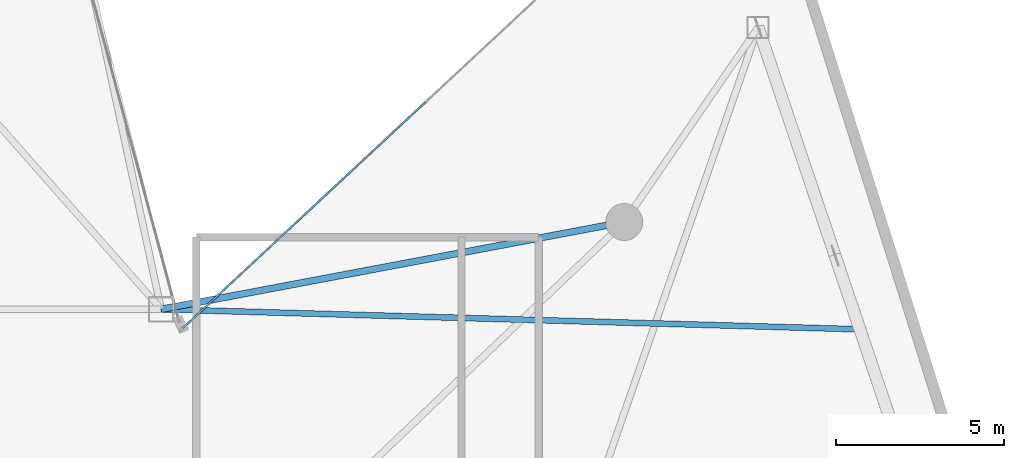
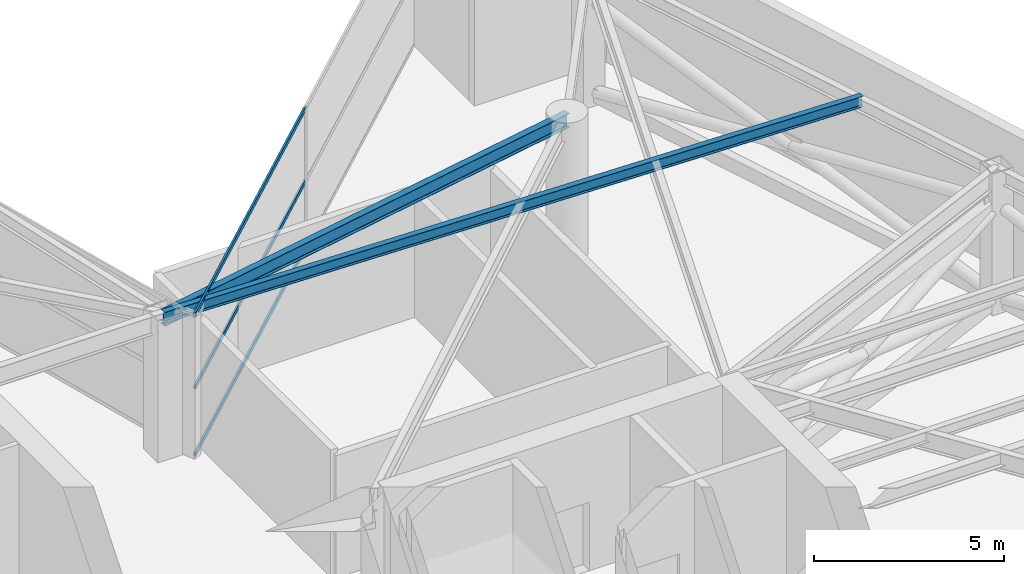
# One storey, part 3 of 16: 3 members, 2 beams, 1 element without a shape of its own.
"""IFC4 building model written with IfcOpenShell, lengths in metres."""

import ifcopenshell
import ifcopenshell.guid

model = None  # the IFC model being written
_history = None  # IfcOwnerHistory: only IFC2X3 demands one
_inside = {}  # id of a spatial element -> (the spatial element, [elements in it])
_under = {}  # id of a project, library or spatial element -> (it, [spatial elements below it])
_declared = {}  # id of a project -> (the project, [libraries it declares])
_typed = {}  # id of a type object -> (the type object, [elements of that type])
_made_of = {}  # id of a material, layer set ... -> (it, [elements and type objects made of it])


def new_model(schema):
    """Start an empty IFC model of exactly this schema.

    Asked for "IFC4X3", IfcOpenShell would pick the latest addendum, in which some entities
    have other attributes; the version numbers below select the first issue.
    IFC2X3 requires an IfcOwnerHistory on every rooted entity: one is made here for all.
    """
    global model, _history
    if schema == "IFC4X3":
        model = ifcopenshell.file(schema_version=(4, 3, 0, 0))
    else:
        model = ifcopenshell.file(schema=schema)
    _inside.clear()
    _under.clear()
    _declared.clear()
    _typed.clear()
    _made_of.clear()
    _history = None
    if model.schema == "IFC2X3":
        org = make("IfcOrganization", Name="unknown")
        user = make(
            "IfcPersonAndOrganization",
            ThePerson=make("IfcPerson", FamilyName="unknown"),
            TheOrganization=org,
        )
        app = make(
            "IfcApplication",
            ApplicationDeveloper=org,
            Version="unknown",
            ApplicationFullName="unknown",
            ApplicationIdentifier="unknown",
        )
        _history = make(
            "IfcOwnerHistory",
            OwningUser=user,
            OwningApplication=app,
            ChangeAction="ADDED",
            CreationDate=0,
        )
    return model


def make(cls, **values):
    """One entity of the class cls with the attributes given. An attribute that is None is left unset."""
    return model.create_entity(
        cls, **{name: value for name, value in values.items() if value is not None}
    )


def rooted(cls, **values):
    """An entity with a GlobalId (a new one), such as an element, a storey or a relation."""
    return make(cls, GlobalId=ifcopenshell.guid.new(), OwnerHistory=_history, **values)


def si_unit(unit_type, name, prefix=None):
    """IfcSIUnit, for example si_unit("LENGTHUNIT", "METRE", prefix="MILLI")."""
    return make("IfcSIUnit", UnitType=unit_type, Prefix=prefix, Name=name)


def assignment(units):
    """IfcUnitAssignment: the units of a project."""
    return None if units is None else make("IfcUnitAssignment", Units=units)


def point(xyz):
    """IfcCartesianPoint."""
    return None if xyz is None else make("IfcCartesianPoint", Coordinates=xyz)


def direction(xyz):
    """IfcDirection."""
    return None if xyz is None else make("IfcDirection", DirectionRatios=xyz)


def frame(location, z_axis=None, x_axis=None):
    """IfcAxis2Placement3D, a coordinate frame: its origin and axes. An axis left out is left unset."""
    return make(
        "IfcAxis2Placement3D",
        Location=point(location),
        Axis=direction(z_axis),
        RefDirection=direction(x_axis),
    )


def frame_2d(location, x_axis=None):
    """IfcAxis2Placement2D, a coordinate frame in the plane: its origin and x axis."""
    return make(
        "IfcAxis2Placement2D", Location=point(location), RefDirection=direction(x_axis)
    )


def origin():
    """The frame at (0, 0, 0) with its axes left unset."""
    return frame((0.0, 0.0, 0.0))


def origin_2d():
    """The frame at (0, 0) in the plane with its x axis left unset."""
    return frame_2d((0.0, 0.0))


def place(relative_to, where):
    """IfcLocalPlacement: puts the frame where relative to a parent placement (None: the world)."""
    return make(
        "IfcLocalPlacement", PlacementRelTo=relative_to, RelativePlacement=where
    )


def context(
    kind, dimensions, precision=None, world=None, true_north=None, identifier=None
):
    """IfcGeometricRepresentationContext, for example the 3D "Model" context."""
    return make(
        "IfcGeometricRepresentationContext",
        ContextIdentifier=identifier,
        ContextType=kind,
        CoordinateSpaceDimension=dimensions,
        Precision=precision,
        WorldCoordinateSystem=world,
        TrueNorth=true_north,
    )


def subcontext(parent, identifier, kind, view, scale=None):
    """IfcGeometricRepresentationSubContext, for example "Body" below "Model"."""
    return make(
        "IfcGeometricRepresentationSubContext",
        ContextIdentifier=identifier,
        ContextType=kind,
        ParentContext=parent,
        TargetScale=scale,
        TargetView=view,
    )


def project(units=None, contexts=None):
    """IfcProject with its units and contexts."""
    return rooted(
        "IfcProject",
        Name="project",
        RepresentationContexts=contexts,
        UnitsInContext=assignment(units),
    )


def spatial(cls, under=None, at=None, **own):
    """A site, building, storey or space (cls), placed at a placement, below another one or the project."""
    s = rooted(cls, ObjectPlacement=at, **own)
    if under is not None:
        _under.setdefault(under.id(), (under, []))[1].append(s)
    return s


def profile(cls, at=None, kind="AREA", **sizes):
    """A parametric profile (cls). Its sizes go by their IFC names, for example OverallWidth=200.0."""
    return make(cls, ProfileType=kind, Position=at, **sizes)


def hollow_rectangle(**sizes):
    """IfcRectangleHollowProfileDef."""
    return profile("IfcRectangleHollowProfileDef", **sizes)


def i_section(**sizes):
    """IfcIShapeProfileDef."""
    return profile("IfcIShapeProfileDef", **sizes)


def extrude(swept, where, along, depth):
    """IfcExtrudedAreaSolid: the profile swept, set in the frame where, extruded along a direction by depth."""
    return make(
        "IfcExtrudedAreaSolid",
        SweptArea=swept,
        Position=where,
        ExtrudedDirection=direction(along),
        Depth=depth,
    )


def shape(context_of_items, identifier, shape_type, items):
    """IfcShapeRepresentation: the items that make up one representation, for example the "Body"."""
    return make(
        "IfcShapeRepresentation",
        ContextOfItems=context_of_items,
        RepresentationIdentifier=identifier,
        RepresentationType=shape_type,
        Items=items,
    )


def material(Name=None, Category=None):
    """IfcMaterial."""
    return make("IfcMaterial", Name=Name, Category=Category)


def layer(
    of_material, thickness, ventilated=None, Name=None, Category=None, Priority=None
):
    """IfcMaterialLayer: one layer of a wall or slab, of a material (None: an air gap)."""
    return make(
        "IfcMaterialLayer",
        Material=of_material,
        LayerThickness=thickness,
        IsVentilated=ventilated,
        Name=Name,
        Category=Category,
        Priority=Priority,
    )


def layer_set(layers, Name=None):
    """IfcMaterialLayerSet."""
    return make("IfcMaterialLayerSet", MaterialLayers=layers, LayerSetName=Name)


def material_profile(
    of_material, cross_section, Name=None, Category=None, Priority=None
):
    """IfcMaterialProfile: a cross section and its material."""
    return make(
        "IfcMaterialProfile",
        Name=Name,
        Material=of_material,
        Profile=cross_section,
        Priority=Priority,
        Category=Category,
    )


def profile_set(profiles, Name=None, composite=None):
    """IfcMaterialProfileSet."""
    return make(
        "IfcMaterialProfileSet",
        Name=Name,
        MaterialProfiles=profiles,
        CompositeProfile=composite,
    )


def made_of(thing, what):
    """Note that an element or type object is made of a material, layer set ...; save() writes the relation."""
    if what is not None:
        _made_of.setdefault(what.id(), (what, []))[1].append(thing)
    return thing


def type_object(cls, material=None, **own):
    """A type object (cls), such as IfcWallType, which elements share."""
    return made_of(rooted(cls, **own), material)


def element(
    cls,
    number,
    at=None,
    inside=None,
    cuts=None,
    type_object=None,
    material=None,
    context=None,
    identifier="Body",
    shape_type=None,
    held_by="IfcProductDefinitionShape",
    body=None,
    shapes=None,
    **own,
):
    """One element of the class cls, such as IfcWall. Its Tag is "e" and its number.

    at: its placement. inside: the storey or other place that contains it. cuts: it is an
    opening in that element (IfcRelVoidsElement). A single representation is given by context,
    identifier, shape_type and body (its items); several are given by shapes. held_by: the class
    of the entity that holds the representations. save() writes the other relations.
    """
    e = rooted(cls, Tag="e%d" % number, ObjectPlacement=at, **own)
    if body is not None:
        shapes = [shape(context, identifier, shape_type, body)]
    if shapes is not None:
        e.Representation = make(held_by, Representations=shapes)
    if inside is not None:
        _inside.setdefault(inside.id(), (inside, []))[1].append(e)
    if cuts is not None:
        rooted(
            "IfcRelVoidsElement", RelatingBuildingElement=cuts, RelatedOpeningElement=e
        )
    if type_object is not None:
        _typed.setdefault(type_object.id(), (type_object, []))[1].append(e)
    return made_of(e, material)


def aggregate(whole, parts):
    """IfcRelAggregates: a whole, such as a stair, and the parts it consists of."""
    return rooted("IfcRelAggregates", RelatingObject=whole, RelatedObjects=parts)


def save(model, path):
    """Write the relations noted so far, then the file.

    IfcRelAggregates (storeys below a building ...), IfcRelContainedInSpatialStructure (elements
    in a storey), IfcRelDefinesByType, IfcRelAssociatesMaterial and IfcRelDeclares: one each for
    every whole, place, type object, material and project.
    """
    for whole, parts in _under.values():
        aggregate(whole, parts)
    for where, things in _inside.values():
        rooted(
            "IfcRelContainedInSpatialStructure",
            RelatedElements=things,
            RelatingStructure=where,
        )
    for kind, things in _typed.values():
        rooted("IfcRelDefinesByType", RelatedObjects=things, RelatingType=kind)
    for what, things in _made_of.values():
        rooted("IfcRelAssociatesMaterial", RelatedObjects=things, RelatingMaterial=what)
    for by, libraries in _declared.values():
        rooted("IfcRelDeclares", RelatingContext=by, RelatedDefinitions=libraries)
    model.write(path)


model = new_model("IFC4")

# Units and contexts
model_context = context("Model", 3, precision=1e-05, world=origin(), true_north=direction((0.0, 1.0)))
body_context = subcontext(model_context, "Body", "Model", "MODEL_VIEW")
ifc_project = project(units=[si_unit("LENGTHUNIT", "METRE"), si_unit("AREAUNIT", "SQUARE_METRE"), si_unit("VOLUMEUNIT", "CUBIC_METRE"), si_unit("PLANEANGLEUNIT", "RADIAN"), si_unit("MASSUNIT", "GRAM", prefix="KILO")], contexts=[model_context])

# Site, building, storey
site_placement = place(None, origin())
site = spatial("IfcSite", under=ifc_project, at=site_placement, CompositionType="ELEMENT")
building_placement = place(site_placement, origin())
building = spatial("IfcBuilding", under=site, at=building_placement, Name="Calvorn Quay Hotel", CompositionType="ELEMENT")
storey_placement = place(building_placement, frame((0.0, 0.0, 234.5)))
storey = spatial("IfcBuildingStorey", under=building, at=storey_placement, Name="L58", CompositionType="ELEMENT", Elevation=234.5)

# Beams
ifc_material_1 = material(Name="Steel Q355B", Category="steel")
ifc_material_profile_1 = material_profile(ifc_material_1, i_section(OverallWidth=0.175048828125, OverallDepth=0.35009765625, WebThickness=0.007080078125, FlangeThickness=0.010986328125, FilletRadius=0.013916015625, at=origin_2d()), Name="HN350x175x7x11")
ifc_profile_set_1 = profile_set([ifc_material_profile_1], Name="Steel Q355B")
beam_type_1 = type_object("IfcBeamType", Name="BM-JOIST-SEC", PredefinedType="JOIST", material=ifc_profile_set_1)
beam_1_placement = place(storey_placement, frame((21.0, 25.0, 4.364990234375), z_axis=(0.999589103827, -0.028663975842, 0.0), x_axis=(0.028663975842, 0.999589103827, 0.0)))
element("IfcBeam", 1, at=beam_1_placement, inside=storey, type_object=beam_type_1, Name="Beam BJ-L58-E3", PredefinedType="JOIST", context=body_context, shape_type="SweptSolid", body=[
    extrude(i_section(OverallWidth=0.175048828125, OverallDepth=0.35009765625, WebThickness=0.007080078125, FlangeThickness=0.010986328125, FilletRadius=0.013916015625, at=origin_2d()), origin(), (0.0, 0.0, 1.0), 20.935546875),
])
ifc_material_2 = material(Name="Steel Q355B", Category="steel")
ifc_material_profile_2 = material_profile(ifc_material_2, i_section(OverallWidth=0.199951171875, OverallDepth=0.449951171875, WebThickness=0.009033203125, FlangeThickness=0.013916015625, FilletRadius=0.01611328125, at=origin_2d()), Name="HN450x200x9x14")
ifc_profile_set_2 = profile_set([ifc_material_profile_2], Name="Steel Q355B")
beam_type_2 = type_object("IfcBeamType", Name="BM-SPANDREL-Z3", PredefinedType="SPANDREL", material=ifc_profile_set_2)
beam_2_placement = place(storey_placement, frame((34.800048828125, 27.60009765625, 4.31494140625), z_axis=(-0.982709432406, -0.185154452988, 0.0), x_axis=(0.185154452988, -0.982709432406, 0.0)))
element("IfcBeam", 2, at=beam_2_placement, inside=storey, type_object=beam_type_2, Name="Beam BSP-L58-E4", PredefinedType="SPANDREL", context=body_context, shape_type="SweptSolid", body=[
    extrude(i_section(OverallWidth=0.199951171875, OverallDepth=0.449951171875, WebThickness=0.009033203125, FlangeThickness=0.013916015625, FilletRadius=0.01611328125, at=origin_2d()), origin(), (0.0, 0.0, 1.0), 14.04296875),
])

# Curtain wall, members
ifc_material_3 = material(Name="Champagne Bronze Anodised Aluminium and Low-E Glass", Category="aluminium")
ifc_layer = layer(ifc_material_3, 0.219970703125)
ifc_layer_set = layer_set([ifc_layer], Name="CW-SYS-Z3")
curtain_wall_type = type_object("IfcCurtainWallType", Name="CW-SYS-Z3", PredefinedType="NOTDEFINED", material=ifc_layer_set)
curtain_wall_placement = place(storey_placement, origin())
curtain_wall = element("IfcCurtainWall", 3, at=curtain_wall_placement, inside=storey, type_object=curtain_wall_type, Name="Inner Court Curtain Wall L58-NE1", PredefinedType="NOTDEFINED")
ifc_material_4 = material(Name="Champagne Bronze Anodised Aluminium 6063-T6", Category="aluminium")
ifc_material_profile_3 = material_profile(ifc_material_4, hollow_rectangle(XDim=0.05810546875, YDim=0.139892578125, WallThickness=0.003173828125, at=origin_2d()), Name="ALU-T140x58x3.2")
ifc_profile_set_3 = profile_set([ifc_material_profile_3], Name="Champagne Bronze Anodised Aluminium 6063-T6")
member_type = type_object("IfcMemberType", Name="CW-SYS-Z3-TRN", PredefinedType="USERDEFINED", material=ifc_profile_set_3)
member_1_placement = place(storey_placement, frame((28.8779296875, 31.179443359375, 0.030029296875), z_axis=(-0.731727475975, -0.681597315798, 0.0), x_axis=(0.681597315798, -0.731727475975, 0.0)))
member_1 = element("IfcMember", 4, at=member_1_placement, type_object=member_type, Name="CW-L58-NE1 transom 2.1", ObjectType="TRANSOM", PredefinedType="USERDEFINED", context=body_context, shape_type="SweptSolid", body=[
    extrude(hollow_rectangle(XDim=0.05810546875, YDim=0.139892578125, WallThickness=0.003173828125, at=origin_2d()), origin(), (0.0, 0.0, 1.0), 9.886474609375),
])
member_2_placement = place(storey_placement, frame((28.8779296875, 31.179443359375, 2.199951171875), z_axis=(-0.731727475975, -0.681597315798, 0.0), x_axis=(0.681597315798, -0.731727475975, 0.0)))
member_2 = element("IfcMember", 5, at=member_2_placement, type_object=member_type, Name="CW-L58-NE1 transom 2.2", ObjectType="TRANSOM", PredefinedType="USERDEFINED", context=body_context, shape_type="SweptSolid", body=[
    extrude(hollow_rectangle(XDim=0.05810546875, YDim=0.139892578125, WallThickness=0.003173828125, at=origin_2d()), origin(), (0.0, 0.0, 1.0), 9.886474609375),
])
member_3_placement = place(storey_placement, frame((28.8779296875, 31.179443359375, 4.530029296875), z_axis=(-0.731727475975, -0.681597315798, 0.0), x_axis=(0.681597315798, -0.731727475975, 0.0)))
member_3 = element("IfcMember", 6, at=member_3_placement, type_object=member_type, Name="CW-L58-NE1 transom 2.3", ObjectType="TRANSOM", PredefinedType="USERDEFINED", context=body_context, shape_type="SweptSolid", body=[
    extrude(hollow_rectangle(XDim=0.05810546875, YDim=0.139892578125, WallThickness=0.003173828125, at=origin_2d()), origin(), (0.0, 0.0, 1.0), 9.886474609375),
])
aggregate(curtain_wall, [member_1, member_2, member_3])

save(model, "model.ifc")
